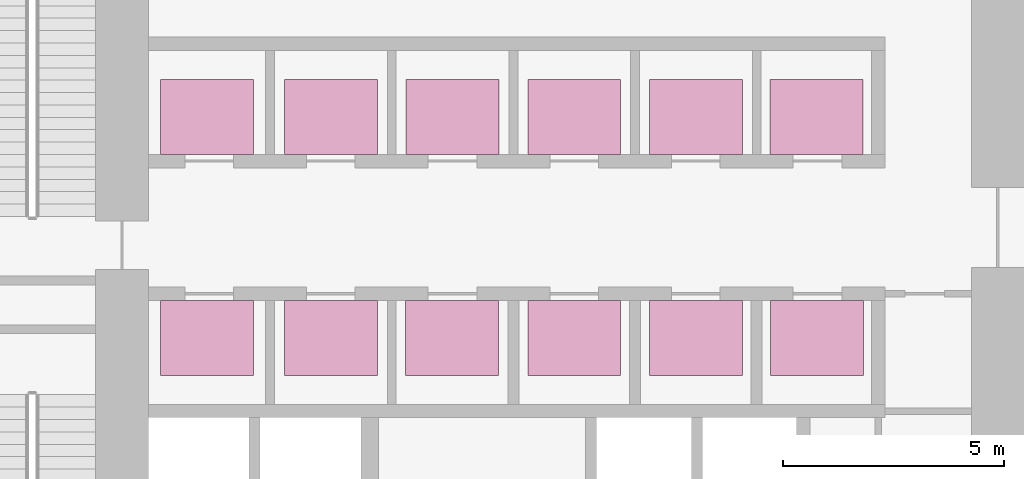
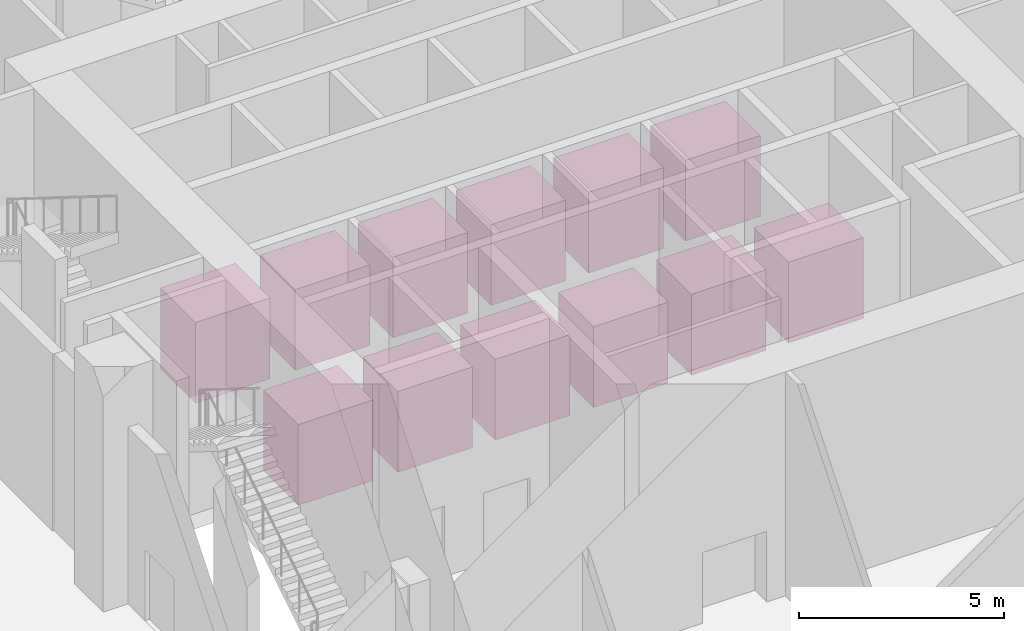
# One storey, part 32 of 32: 12 transport elements.
"""IFC4 building model written with IfcOpenShell, lengths in metres."""

import ifcopenshell
import ifcopenshell.guid

model = None  # the IFC model being written
_history = None  # IfcOwnerHistory: only IFC2X3 demands one
_inside = {}  # id of a spatial element -> (the spatial element, [elements in it])
_under = {}  # id of a project, library or spatial element -> (it, [spatial elements below it])
_declared = {}  # id of a project -> (the project, [libraries it declares])
_typed = {}  # id of a type object -> (the type object, [elements of that type])
_made_of = {}  # id of a material, layer set ... -> (it, [elements and type objects made of it])


def new_model(schema):
    """Start an empty IFC model of exactly this schema.

    Asked for "IFC4X3", IfcOpenShell would pick the latest addendum, in which some entities
    have other attributes; the version numbers below select the first issue.
    IFC2X3 requires an IfcOwnerHistory on every rooted entity: one is made here for all.
    """
    global model, _history
    if schema == "IFC4X3":
        model = ifcopenshell.file(schema_version=(4, 3, 0, 0))
    else:
        model = ifcopenshell.file(schema=schema)
    _inside.clear()
    _under.clear()
    _declared.clear()
    _typed.clear()
    _made_of.clear()
    _history = None
    if model.schema == "IFC2X3":
        org = make("IfcOrganization", Name="unknown")
        user = make(
            "IfcPersonAndOrganization",
            ThePerson=make("IfcPerson", FamilyName="unknown"),
            TheOrganization=org,
        )
        app = make(
            "IfcApplication",
            ApplicationDeveloper=org,
            Version="unknown",
            ApplicationFullName="unknown",
            ApplicationIdentifier="unknown",
        )
        _history = make(
            "IfcOwnerHistory",
            OwningUser=user,
            OwningApplication=app,
            ChangeAction="ADDED",
            CreationDate=0,
        )
    return model


def make(cls, **values):
    """One entity of the class cls with the attributes given. An attribute that is None is left unset."""
    return model.create_entity(
        cls, **{name: value for name, value in values.items() if value is not None}
    )


def rooted(cls, **values):
    """An entity with a GlobalId (a new one), such as an element, a storey or a relation."""
    return make(cls, GlobalId=ifcopenshell.guid.new(), OwnerHistory=_history, **values)


def si_unit(unit_type, name, prefix=None):
    """IfcSIUnit, for example si_unit("LENGTHUNIT", "METRE", prefix="MILLI")."""
    return make("IfcSIUnit", UnitType=unit_type, Prefix=prefix, Name=name)


def assignment(units):
    """IfcUnitAssignment: the units of a project."""
    return None if units is None else make("IfcUnitAssignment", Units=units)


def point(xyz):
    """IfcCartesianPoint."""
    return None if xyz is None else make("IfcCartesianPoint", Coordinates=xyz)


def direction(xyz):
    """IfcDirection."""
    return None if xyz is None else make("IfcDirection", DirectionRatios=xyz)


def frame(location, z_axis=None, x_axis=None):
    """IfcAxis2Placement3D, a coordinate frame: its origin and axes. An axis left out is left unset."""
    return make(
        "IfcAxis2Placement3D",
        Location=point(location),
        Axis=direction(z_axis),
        RefDirection=direction(x_axis),
    )


def frame_2d(location, x_axis=None):
    """IfcAxis2Placement2D, a coordinate frame in the plane: its origin and x axis."""
    return make(
        "IfcAxis2Placement2D", Location=point(location), RefDirection=direction(x_axis)
    )


def origin():
    """The frame at (0, 0, 0) with its axes left unset."""
    return frame((0.0, 0.0, 0.0))


def origin_2d():
    """The frame at (0, 0) in the plane with its x axis left unset."""
    return frame_2d((0.0, 0.0))


def place(relative_to, where):
    """IfcLocalPlacement: puts the frame where relative to a parent placement (None: the world)."""
    return make(
        "IfcLocalPlacement", PlacementRelTo=relative_to, RelativePlacement=where
    )


def context(
    kind, dimensions, precision=None, world=None, true_north=None, identifier=None
):
    """IfcGeometricRepresentationContext, for example the 3D "Model" context."""
    return make(
        "IfcGeometricRepresentationContext",
        ContextIdentifier=identifier,
        ContextType=kind,
        CoordinateSpaceDimension=dimensions,
        Precision=precision,
        WorldCoordinateSystem=world,
        TrueNorth=true_north,
    )


def subcontext(parent, identifier, kind, view, scale=None):
    """IfcGeometricRepresentationSubContext, for example "Body" below "Model"."""
    return make(
        "IfcGeometricRepresentationSubContext",
        ContextIdentifier=identifier,
        ContextType=kind,
        ParentContext=parent,
        TargetScale=scale,
        TargetView=view,
    )


def project(units=None, contexts=None):
    """IfcProject with its units and contexts."""
    return rooted(
        "IfcProject",
        Name="project",
        RepresentationContexts=contexts,
        UnitsInContext=assignment(units),
    )


def spatial(cls, under=None, at=None, **own):
    """A site, building, storey or space (cls), placed at a placement, below another one or the project."""
    s = rooted(cls, ObjectPlacement=at, **own)
    if under is not None:
        _under.setdefault(under.id(), (under, []))[1].append(s)
    return s


def profile(cls, at=None, kind="AREA", **sizes):
    """A parametric profile (cls). Its sizes go by their IFC names, for example OverallWidth=200.0."""
    return make(cls, ProfileType=kind, Position=at, **sizes)


def rectangle(**sizes):
    """IfcRectangleProfileDef."""
    return profile("IfcRectangleProfileDef", **sizes)


def extrude(swept, where, along, depth):
    """IfcExtrudedAreaSolid: the profile swept, set in the frame where, extruded along a direction by depth."""
    return make(
        "IfcExtrudedAreaSolid",
        SweptArea=swept,
        Position=where,
        ExtrudedDirection=direction(along),
        Depth=depth,
    )


def shape(context_of_items, identifier, shape_type, items):
    """IfcShapeRepresentation: the items that make up one representation, for example the "Body"."""
    return make(
        "IfcShapeRepresentation",
        ContextOfItems=context_of_items,
        RepresentationIdentifier=identifier,
        RepresentationType=shape_type,
        Items=items,
    )


def material(Name=None, Category=None):
    """IfcMaterial."""
    return make("IfcMaterial", Name=Name, Category=Category)


def made_of(thing, what):
    """Note that an element or type object is made of a material, layer set ...; save() writes the relation."""
    if what is not None:
        _made_of.setdefault(what.id(), (what, []))[1].append(thing)
    return thing


def type_object(cls, material=None, **own):
    """A type object (cls), such as IfcWallType, which elements share."""
    return made_of(rooted(cls, **own), material)


def element(
    cls,
    number,
    at=None,
    inside=None,
    cuts=None,
    type_object=None,
    material=None,
    context=None,
    identifier="Body",
    shape_type=None,
    held_by="IfcProductDefinitionShape",
    body=None,
    shapes=None,
    **own,
):
    """One element of the class cls, such as IfcWall. Its Tag is "e" and its number.

    at: its placement. inside: the storey or other place that contains it. cuts: it is an
    opening in that element (IfcRelVoidsElement). A single representation is given by context,
    identifier, shape_type and body (its items); several are given by shapes. held_by: the class
    of the entity that holds the representations. save() writes the other relations.
    """
    e = rooted(cls, Tag="e%d" % number, ObjectPlacement=at, **own)
    if body is not None:
        shapes = [shape(context, identifier, shape_type, body)]
    if shapes is not None:
        e.Representation = make(held_by, Representations=shapes)
    if inside is not None:
        _inside.setdefault(inside.id(), (inside, []))[1].append(e)
    if cuts is not None:
        rooted(
            "IfcRelVoidsElement", RelatingBuildingElement=cuts, RelatedOpeningElement=e
        )
    if type_object is not None:
        _typed.setdefault(type_object.id(), (type_object, []))[1].append(e)
    return made_of(e, material)


def aggregate(whole, parts):
    """IfcRelAggregates: a whole, such as a stair, and the parts it consists of."""
    return rooted("IfcRelAggregates", RelatingObject=whole, RelatedObjects=parts)


def save(model, path):
    """Write the relations noted so far, then the file.

    IfcRelAggregates (storeys below a building ...), IfcRelContainedInSpatialStructure (elements
    in a storey), IfcRelDefinesByType, IfcRelAssociatesMaterial and IfcRelDeclares: one each for
    every whole, place, type object, material and project.
    """
    for whole, parts in _under.values():
        aggregate(whole, parts)
    for where, things in _inside.values():
        rooted(
            "IfcRelContainedInSpatialStructure",
            RelatedElements=things,
            RelatingStructure=where,
        )
    for kind, things in _typed.values():
        rooted("IfcRelDefinesByType", RelatedObjects=things, RelatingType=kind)
    for what, things in _made_of.values():
        rooted("IfcRelAssociatesMaterial", RelatedObjects=things, RelatingMaterial=what)
    for by, libraries in _declared.values():
        rooted("IfcRelDeclares", RelatingContext=by, RelatedDefinitions=libraries)
    model.write(path)


model = new_model("IFC4")

# Units and contexts
model_context = context("Model", 3, precision=1e-05, world=origin(), true_north=direction((0.0, 1.0)))
body_context = subcontext(model_context, "Body", "Model", "MODEL_VIEW")
ifc_project = project(units=[si_unit("LENGTHUNIT", "METRE"), si_unit("AREAUNIT", "SQUARE_METRE"), si_unit("VOLUMEUNIT", "CUBIC_METRE"), si_unit("PLANEANGLEUNIT", "RADIAN"), si_unit("MASSUNIT", "GRAM", prefix="KILO")], contexts=[model_context])

# Site, building, storey
site_placement = place(None, origin())
site = spatial("IfcSite", under=ifc_project, at=site_placement, CompositionType="ELEMENT")
building_placement = place(site_placement, origin())
building = spatial("IfcBuilding", under=site, at=building_placement, Name="Kawkab Arch Medical Tower", CompositionType="ELEMENT")
storey_placement = place(building_placement, origin())
storey = spatial("IfcBuildingStorey", under=building, at=storey_placement, Name="L01", CompositionType="ELEMENT", Elevation=0.0)

# Transport elements
ifc_material = material(Name="Stainless steel", Category="steel")
transport_element_type = type_object("IfcTransportElementType", Name="Passenger lift car 2100x1700", PredefinedType="ELEVATOR", material=ifc_material)
for number, where, z_axis, x_axis, name in (
    (1, (6.72509765625, -10.10009765625, 0.0), (0.0, 0.0, 1.0), (1.0, 0.0, 0.0), "Passenger lift LP1"),
    (2, (9.52490234375, -10.10009765625, 0.0), (0.0, 0.0, 1.0), (1.0, 0.0, 0.0), "Passenger lift LP2"),
    (3, (12.27490234375, -10.10009765625, 0.0), (0.0, 0.0, 1.0), (1.0, 0.0, 0.0), "Passenger lift LP3"),
    (4, (15.02490234375, -10.10009765625, 0.0), (0.0, 0.0, 1.0), (1.0, 0.0, 0.0), "Passenger lift LP4"),
    (5, (17.77490234375, -10.10009765625, 0.0), (0.0, 0.0, 1.0), (1.0, 0.0, 0.0), "Passenger lift MP1"),
    (6, (20.5, -10.10009765625, 0.0), (0.0, 0.0, 1.0), (1.0, 0.0, 0.0), "Passenger lift MP2"),
    (7, (6.72509765625, -15.10009765625, 0.0), (0.0, 0.0, 1.0), (1.0, 0.0, 0.0), "Passenger lift MP3"),
    (8, (9.52490234375, -15.10009765625, 0.0), (0.0, 0.0, 1.0), (1.0, 0.0, 0.0), "Passenger lift MP4"),
    (9, (12.262451171875, -15.10009765625, 0.0), (0.0, 0.0, 1.0), (1.0, 0.0, 0.0), "Passenger lift HP1"),
    (10, (15.02490234375, -15.10009765625, 0.0), (0.0, 0.0, 1.0), (1.0, 0.0, 0.0), "Passenger lift HP2"),
    (11, (17.77490234375, -15.10009765625, 0.0), (0.0, 0.0, 1.0), (1.0, 0.0, 0.0), "Passenger lift HP3"),
    (12, (20.512451171875, -15.10009765625, 0.0), (0.0, 0.0, 1.0), (1.0, 0.0, 0.0), "Passenger lift HP4"),
):
    element("IfcTransportElement", number, at=place(storey_placement, frame(where, z_axis=z_axis, x_axis=x_axis)), inside=storey, type_object=transport_element_type, Name=name, PredefinedType="ELEVATOR", context=body_context, shape_type="SweptSolid", body=[
        extrude(rectangle(XDim=2.10009765625, YDim=1.699951171875, at=origin_2d()), origin(), (0.0, 0.0, 1.0), 2.39990234375),
    ])

save(model, "model.ifc")
